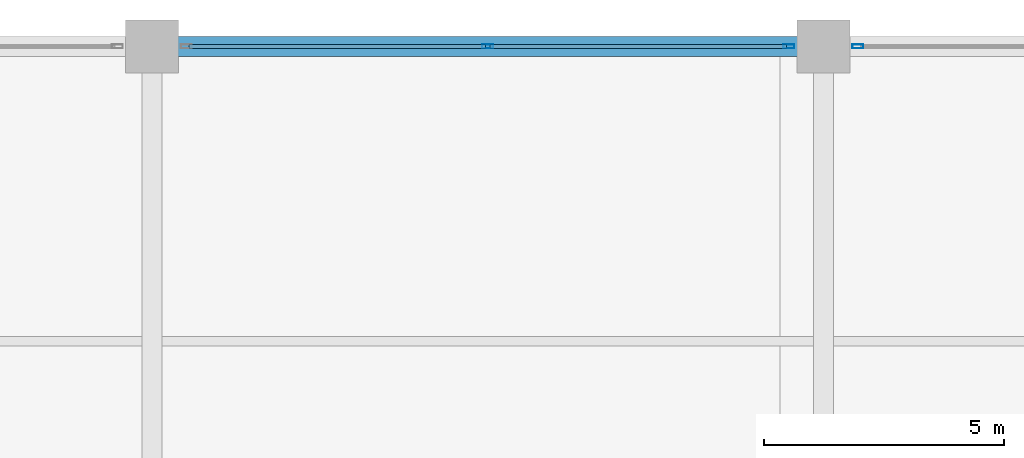
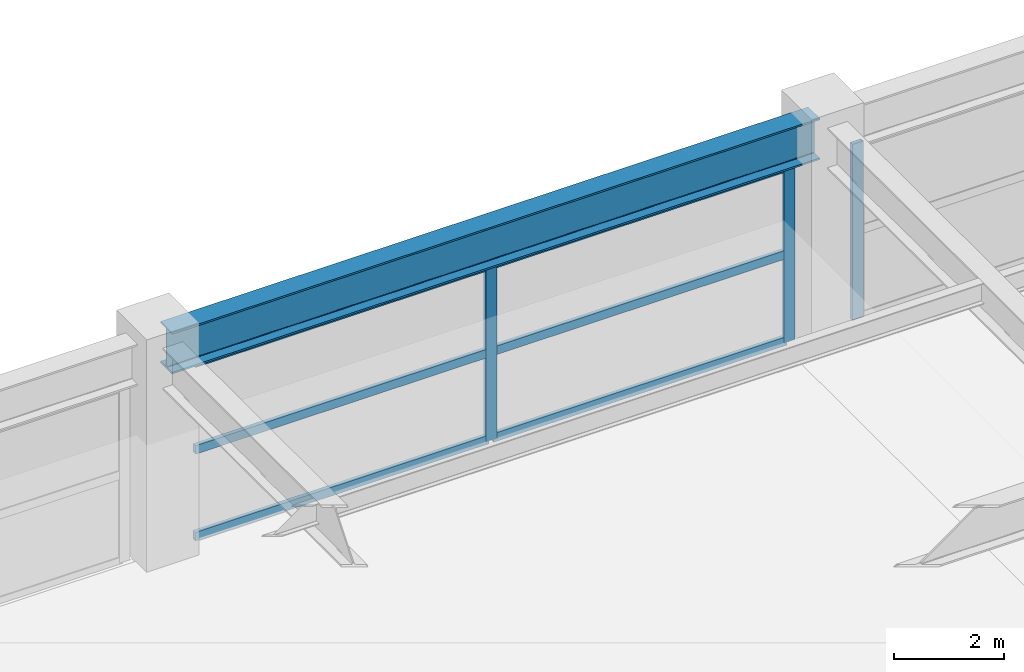
# One storey, part 32 of 43: 9 members, 1 beam, 2 elements without a shape of their own.
"""IFC4 building model written with IfcOpenShell, lengths in metres."""

from ifc_helpers import new_model, si_unit, direction, frame, origin, origin_2d, place, context, subcontext, project, spatial, hollow_rectangle, i_section, extrude, material, material_profile, profile_set, type_object, element, aggregate, save


model = new_model("IFC4")

# Units and contexts
model_context = context("Model", 3, precision=1e-05, world=origin(), true_north=direction((0.0, 1.0)))
body_context = subcontext(model_context, "Body", "Model", "MODEL_VIEW")
ifc_project = project(units=[si_unit("LENGTHUNIT", "METRE"), si_unit("AREAUNIT", "SQUARE_METRE"), si_unit("VOLUMEUNIT", "CUBIC_METRE"), si_unit("PLANEANGLEUNIT", "RADIAN"), si_unit("MASSUNIT", "GRAM", prefix="KILO")], contexts=[model_context])

# Site, building, storey
site_placement = place(None, origin())
site = spatial("IfcSite", under=ifc_project, at=site_placement, CompositionType="ELEMENT")
building_placement = place(site_placement, origin())
building = spatial("IfcBuilding", under=site, at=building_placement, Name="Kovane Verandah Tower", CompositionType="ELEMENT")
storey_placement = place(building_placement, frame((0.0, 0.0, 11.199951171875)))
storey = spatial("IfcBuildingStorey", under=building, at=storey_placement, Name="L02", CompositionType="ELEMENT", Elevation=11.199951171875)

# Beam
ifc_material_1 = material(Name="Steel S460", Category="steel")
ifc_material_profile_1 = material_profile(ifc_material_1, i_section(OverallWidth=0.42041015625, OverallDepth=0.9208984375, WebThickness=0.021484375, FlangeThickness=0.03662109375, FilletRadius=0.024169921875, at=origin_2d()), Name="UB914x419x388")
ifc_profile_set_1 = profile_set([ifc_material_profile_1], Name="Steel S460")
beam_type = type_object("IfcBeamType", Name="BM-UB914x388", PredefinedType="BEAM", material=ifc_profile_set_1)
beam_placement = place(storey_placement, frame((58.580078125, 56.5, 4.439453125), z_axis=(1.0, 0.0, 0.0), x_axis=(0.0, 1.0, 0.0)))
element("IfcBeam", 1, at=beam_placement, inside=storey, type_object=beam_type, Name="L02 Podium Grid Girder X22", PredefinedType="BEAM", context=body_context, shape_type="SweptSolid", body=[
    extrude(i_section(OverallWidth=0.42041015625, OverallDepth=0.9208984375, WebThickness=0.021484375, FlangeThickness=0.03662109375, FilletRadius=0.024169921875, at=origin_2d()), origin(), (0.0, 0.0, 1.0), 13.639892578125),
])

# Curtain wall, members
ifc_material_2 = material(Name="Champagne Anodised Aluminium Frame with Low-E Clear Laminated Glass", Category="aluminium")
curtain_wall_type = type_object("IfcCurtainWallType", Name="CW-SYS-01-POD", PredefinedType="NOTDEFINED", material=ifc_material_2)
curtain_wall_1_placement = place(storey_placement, origin())
curtain_wall_1 = element("IfcCurtainWall", 2, at=curtain_wall_1_placement, inside=storey, type_object=curtain_wall_type, Name="L02 North Podium Curtain Wall Bay 6", PredefinedType="NOTDEFINED")
ifc_material_3 = material(Name="Champagne Anodised Aluminium 6063-T6", Category="aluminium")
ifc_material_profile_2 = material_profile(ifc_material_3, hollow_rectangle(XDim=0.0849609375, YDim=0.22998046875, WallThickness=0.00390625, at=origin_2d()), Name="AL85x230x4")
ifc_profile_set_2 = profile_set([ifc_material_profile_2], Name="Champagne Anodised Aluminium 6063-T6")
member_type_1 = type_object("IfcMemberType", Name="CW-MUL-85x230", PredefinedType="MULLION", material=ifc_profile_set_2)
member_1_placement = place(storey_placement, frame((71.679931640625, 56.5, 0.02001953125), z_axis=(0.0, 0.0, 1.0), x_axis=(0.0, 1.0, 0.0)))
member_1 = element("IfcMember", 3, at=member_1_placement, type_object=member_type_1, Name="L02 North Podium Curtain Wall Bay 6 Mullion 1", PredefinedType="MULLION", context=body_context, shape_type="SweptSolid", body=[
    extrude(hollow_rectangle(XDim=0.0849609375, YDim=0.22998046875, WallThickness=0.00390625, at=origin_2d()), origin(), (0.0, 0.0, 1.0), 3.9189453125),
])
member_2_placement = place(storey_placement, frame((65.39990234375, 56.5, 0.02001953125), z_axis=(0.0, 0.0, 1.0), x_axis=(0.0, 1.0, 0.0)))
member_2 = element("IfcMember", 4, at=member_2_placement, type_object=member_type_1, Name="L02 North Podium Curtain Wall Bay 6 Mullion 2", PredefinedType="MULLION", context=body_context, shape_type="SweptSolid", body=[
    extrude(hollow_rectangle(XDim=0.0849609375, YDim=0.22998046875, WallThickness=0.00390625, at=origin_2d()), origin(), (0.0, 0.0, 1.0), 3.9189453125),
])

# Curtain wall, member
curtain_wall_2_placement = place(storey_placement, origin())
curtain_wall_2 = element("IfcCurtainWall", 5, at=curtain_wall_2_placement, inside=storey, type_object=curtain_wall_type, Name="L02 North Podium Curtain Wall Bay 7", PredefinedType="NOTDEFINED")
member_3_placement = place(storey_placement, frame((73.1201171875, 56.5, 0.02001953125), z_axis=(0.0, 0.0, 1.0), x_axis=(0.0, 1.0, 0.0)))
member_3 = element("IfcMember", 6, at=member_3_placement, type_object=member_type_1, Name="L02 North Podium Curtain Wall Bay 7 Mullion 2", PredefinedType="MULLION", context=body_context, shape_type="SweptSolid", body=[
    extrude(hollow_rectangle(XDim=0.0849609375, YDim=0.22998046875, WallThickness=0.00390625, at=origin_2d()), origin(), (0.0, 0.0, 1.0), 3.9189453125),
])
aggregate(curtain_wall_2, [member_3])

# Member
ifc_material_profile_3 = material_profile(ifc_material_3, hollow_rectangle(XDim=0.0849609375, YDim=0.18994140625, WallThickness=0.00390625, at=origin_2d()), Name="AL85x190x4")
ifc_profile_set_3 = profile_set([ifc_material_profile_3], Name="Champagne Anodised Aluminium 6063-T6")
member_type_2 = type_object("IfcMemberType", Name="CW-TRN-85x190", PredefinedType="USERDEFINED", material=ifc_profile_set_3)
member_4_placement = place(storey_placement, frame((71.6298828125, 56.5, 0.050048828125), z_axis=(-1.0, 0.0, 0.0), x_axis=(0.0, -1.0, 0.0)))
member_4 = element("IfcMember", 7, at=member_4_placement, type_object=member_type_2, Name="L02 North Podium Curtain Wall Bay 6 Transom TB Bay 1", ObjectType="TRANSOM", PredefinedType="USERDEFINED", context=body_context, shape_type="SweptSolid", body=[
    extrude(hollow_rectangle(XDim=0.0849609375, YDim=0.18994140625, WallThickness=0.00390625, at=origin_2d()), origin(), (0.0, 0.0, 1.0), 6.179931640625),
])

member_5_placement = place(storey_placement, frame((71.6298828125, 56.5, 1.9794921875), z_axis=(-1.0, 0.0, 0.0), x_axis=(0.0, -1.0, 0.0)))
member_5 = element("IfcMember", 8, at=member_5_placement, type_object=member_type_2, Name="L02 North Podium Curtain Wall Bay 6 Transom TM Bay 1", ObjectType="TRANSOM", PredefinedType="USERDEFINED", context=body_context, shape_type="SweptSolid", body=[
    extrude(hollow_rectangle(XDim=0.0849609375, YDim=0.18994140625, WallThickness=0.00390625, at=origin_2d()), origin(), (0.0, 0.0, 1.0), 6.179931640625),
])

member_6_placement = place(storey_placement, frame((71.6298828125, 56.5, 3.908935546875), z_axis=(-1.0, 0.0, 0.0), x_axis=(0.0, -1.0, 0.0)))
member_6 = element("IfcMember", 9, at=member_6_placement, type_object=member_type_2, Name="L02 North Podium Curtain Wall Bay 6 Transom TT Bay 1", ObjectType="TRANSOM", PredefinedType="USERDEFINED", context=body_context, shape_type="SweptSolid", body=[
    extrude(hollow_rectangle(XDim=0.0849609375, YDim=0.18994140625, WallThickness=0.00390625, at=origin_2d()), origin(), (0.0, 0.0, 1.0), 6.179931640625),
])

member_7_placement = place(storey_placement, frame((65.35009765625, 56.5, 0.050048828125), z_axis=(-1.0, 0.0, 0.0), x_axis=(0.0, -1.0, 0.0)))
member_7 = element("IfcMember", 10, at=member_7_placement, type_object=member_type_2, Name="L02 North Podium Curtain Wall Bay 6 Transom TB Bay 2", ObjectType="TRANSOM", PredefinedType="USERDEFINED", context=body_context, shape_type="SweptSolid", body=[
    extrude(hollow_rectangle(XDim=0.0849609375, YDim=0.18994140625, WallThickness=0.00390625, at=origin_2d()), origin(), (0.0, 0.0, 1.0), 6.18017578125),
])

member_8_placement = place(storey_placement, frame((65.35009765625, 56.5, 1.9794921875), z_axis=(-1.0, 0.0, 0.0), x_axis=(0.0, -1.0, 0.0)))
member_8 = element("IfcMember", 11, at=member_8_placement, type_object=member_type_2, Name="L02 North Podium Curtain Wall Bay 6 Transom TM Bay 2", ObjectType="TRANSOM", PredefinedType="USERDEFINED", context=body_context, shape_type="SweptSolid", body=[
    extrude(hollow_rectangle(XDim=0.0849609375, YDim=0.18994140625, WallThickness=0.00390625, at=origin_2d()), origin(), (0.0, 0.0, 1.0), 6.18017578125),
])

member_9_placement = place(storey_placement, frame((65.35009765625, 56.5, 3.908935546875), z_axis=(-1.0, 0.0, 0.0), x_axis=(0.0, -1.0, 0.0)))
member_9 = element("IfcMember", 12, at=member_9_placement, type_object=member_type_2, Name="L02 North Podium Curtain Wall Bay 6 Transom TT Bay 2", ObjectType="TRANSOM", PredefinedType="USERDEFINED", context=body_context, shape_type="SweptSolid", body=[
    extrude(hollow_rectangle(XDim=0.0849609375, YDim=0.18994140625, WallThickness=0.00390625, at=origin_2d()), origin(), (0.0, 0.0, 1.0), 6.18017578125),
])

aggregate(curtain_wall_1, [member_1, member_2, member_4, member_5, member_6, member_7, member_8, member_9])

save(model, "model.ifc")
